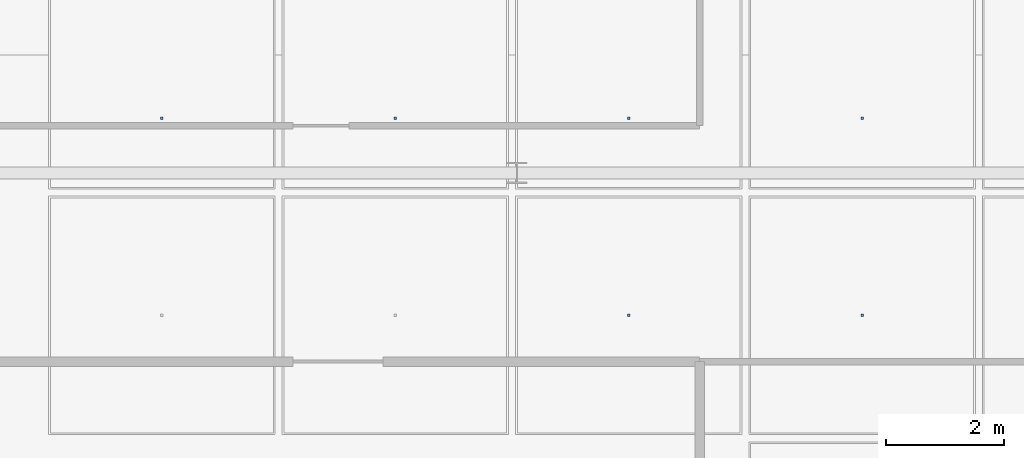
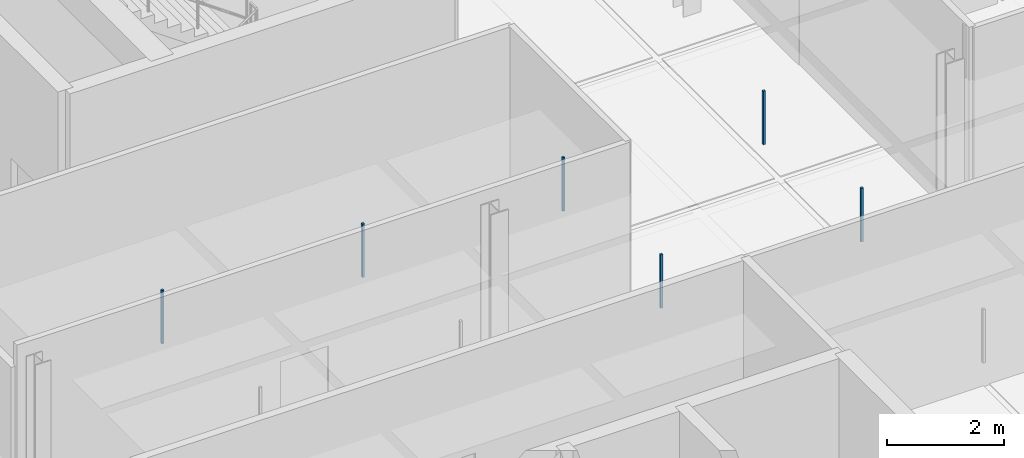
# One storey, part 103 of 130: 6 discrete accessories.
"""IFC4 building model written with IfcOpenShell, lengths in metres."""

from ifc_helpers import new_model, si_unit, direction, frame, origin, origin_2d, place, context, subcontext, project, spatial, rectangle, extrude, material, type_object, element, save


model = new_model("IFC4")

# Units and contexts
model_context = context("Model", 3, precision=1e-05, world=origin(), true_north=direction((0.0, 1.0)))
body_context = subcontext(model_context, "Body", "Model", "MODEL_VIEW")
ifc_project = project(units=[si_unit("LENGTHUNIT", "METRE"), si_unit("AREAUNIT", "SQUARE_METRE"), si_unit("VOLUMEUNIT", "CUBIC_METRE"), si_unit("PLANEANGLEUNIT", "RADIAN"), si_unit("MASSUNIT", "GRAM", prefix="KILO"), si_unit("THERMODYNAMICTEMPERATUREUNIT", "KELVIN"), si_unit("POWERUNIT", "WATT")], contexts=[model_context])

# Site, building, storey
site_placement = place(None, origin())
site = spatial("IfcSite", under=ifc_project, at=site_placement, CompositionType="ELEMENT")
building_placement = place(site_placement, origin())
building = spatial("IfcBuilding", under=site, at=building_placement, Name="Tallowbark Science Centre", CompositionType="ELEMENT")
storey_placement = place(building_placement, frame((0.0, 0.0, 5.39990234375)))
storey = spatial("IfcBuildingStorey", under=building, at=storey_placement, Name="L01", CompositionType="ELEMENT", Elevation=5.39990234375)

# Discrete accessories
ifc_material = material(Name="Galvanised Steel Grade C350L0 (350 MPa)", Category="steel")
discrete_accessory_type = type_object("IfcDiscreteAccessoryType", Name="ACC-CLG-HNG", PredefinedType="BRACKET", material=ifc_material)
for number, where, z_axis, x_axis, name in (
    (1, (115.479248046875, 90.92822265625, 3.2060546875), (0.0, 0.0, 1.0), (1.0, 0.0, 0.0), "Ceiling Hanger Bracket L01-688"),
    (2, (119.4375, 90.92822265625, 3.2060546875), (0.0, 0.0, 1.0), (1.0, 0.0, 0.0), "Ceiling Hanger Bracket L01-691"),
    (3, (123.395751953125, 87.583251953125, 3.2060546875), (0.0, 0.0, 1.0), (1.0, 0.0, 0.0), "Ceiling Hanger Bracket L01-693"),
    (4, (123.395751953125, 90.92822265625, 3.2060546875), (0.0, 0.0, 1.0), (1.0, 0.0, 0.0), "Ceiling Hanger Bracket L01-694"),
    (5, (127.354248046875, 87.583251953125, 3.2060546875), (0.0, 0.0, 1.0), (1.0, 0.0, 0.0), "Ceiling Hanger Bracket L01-699"),
    (6, (127.354248046875, 90.92822265625, 3.2060546875), (0.0, 0.0, 1.0), (1.0, 0.0, 0.0), "Ceiling Hanger Bracket L01-700"),
):
    element("IfcDiscreteAccessory", number, at=place(storey_placement, frame(where, z_axis=z_axis, x_axis=x_axis)), inside=storey, type_object=discrete_accessory_type, Name=name, PredefinedType="BRACKET", context=body_context, shape_type="SweptSolid", body=[
        extrude(rectangle(XDim=0.044921875, YDim=0.044921875, at=origin_2d()), origin(), (0.0, 0.0, 1.0), 1.116943359375),
    ])

save(model, "model.ifc")
